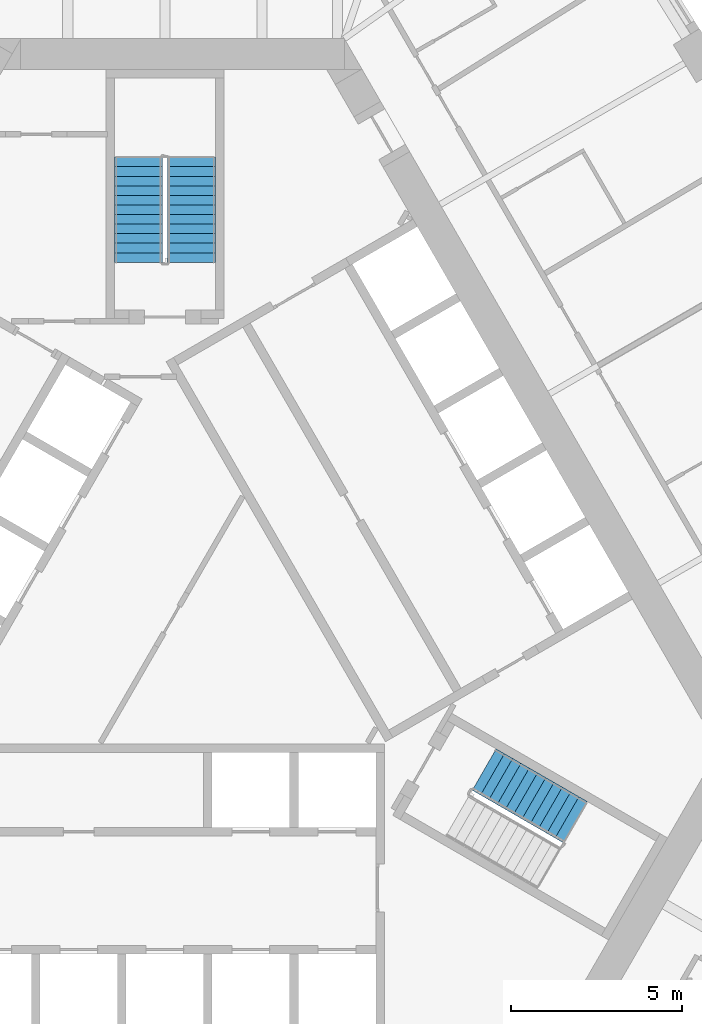
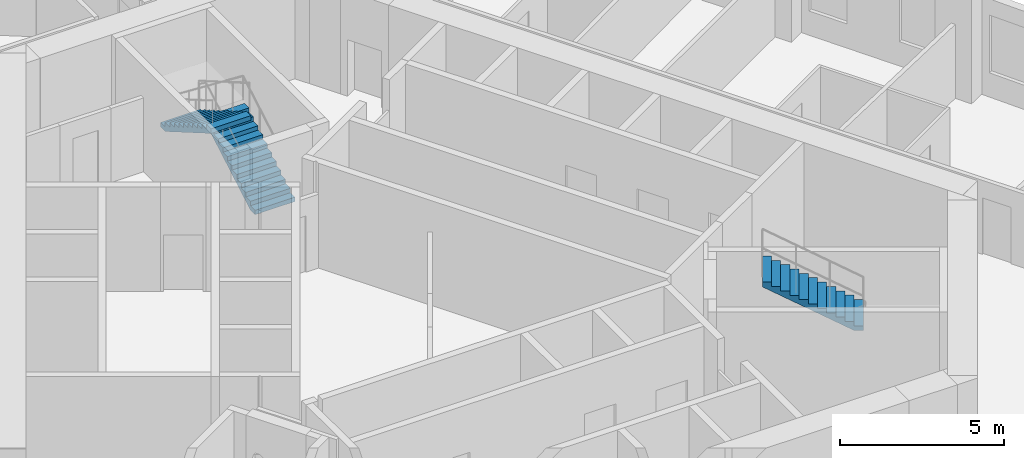
# One storey, part 12 of 13: 3 stair flights, 2 elements without a shape of their own.
"""IFC4 building model written with IfcOpenShell, lengths in metres."""

from ifc_helpers import new_model, si_unit, direction, frame, origin, place, context, subcontext, project, spatial, polyline, outline, extrude, material, type_object, element, aggregate, save


model = new_model("IFC4")

# Units and contexts
model_context = context("Model", 3, precision=1e-05, world=origin(), true_north=direction((0.0, 1.0)))
body_context = subcontext(model_context, "Body", "Model", "MODEL_VIEW")
ifc_project = project(units=[si_unit("LENGTHUNIT", "METRE"), si_unit("AREAUNIT", "SQUARE_METRE"), si_unit("VOLUMEUNIT", "CUBIC_METRE"), si_unit("PLANEANGLEUNIT", "RADIAN"), si_unit("MASSUNIT", "GRAM", prefix="KILO")], contexts=[model_context])

# Site, building, storey
site_placement = place(None, origin())
site = spatial("IfcSite", under=ifc_project, at=site_placement, CompositionType="ELEMENT")
building_placement = place(site_placement, origin())
building = spatial("IfcBuilding", under=site, at=building_placement, Name="Mestral Congress Tower", CompositionType="ELEMENT")
storey_placement = place(building_placement, frame((0.0, 0.0, 87.60009765625)))
storey = spatial("IfcBuildingStorey", under=building, at=storey_placement, Name="L20", CompositionType="ELEMENT", Elevation=87.60009765625)

# Stair, stair flight
ifc_material = material(Name="Concrete C60/75", Category="concrete")
stair_type = type_object("IfcStairType", Name="Exit stair 1400", PredefinedType="HALF_TURN_STAIR", material=ifc_material)
placement = place(storey_placement, origin())
stair_1 = element("IfcStair", 1, at=placement, inside=storey, type_object=stair_type, Name="L20 ST1", PredefinedType="HALF_TURN_STAIR")
stair_flight_type = type_object("IfcStairFlightType", Name="Exit stair flight 1400", PredefinedType="STRAIGHT", material=ifc_material)
stair_flight_1_placement = place(storey_placement, frame((12.018310546875, -6.0439453125, 1.949951171875), z_axis=(0.0, 0.0, 1.0), x_axis=(-0.866025403784, 0.5, 0.0)))
stair_flight_1 = element("IfcStairFlight", 2, at=stair_flight_1_placement, type_object=stair_flight_type, Name="ST1 flight 2", NumberOfRisers=12, NumberOfTreads=11, PredefinedType="STRAIGHT", RiserHeight=0.1625, TreadLength=0.28, context=body_context, shape_type="SweptSolid", body=[
    extrude(outline(polyline([(0.0, 0.0), (0.0, 0.16259765625), (0.280029296875, 0.16259765625), (0.280029296875, 0.324951171875), (0.56005859375, 0.324951171875), (0.56005859375, 0.487548828125), (0.840087890625, 0.487548828125), (0.840087890625, 0.64990234375), (1.1201171875, 0.64990234375), (1.1201171875, 0.8125), (1.39990234375, 0.8125), (1.39990234375, 0.97509765625), (1.679931640625, 0.97509765625), (1.679931640625, 1.137451171875), (1.9599609375, 1.137451171875), (1.9599609375, 1.300048828125), (2.239990234375, 1.300048828125), (2.239990234375, 1.46240234375), (2.52001953125, 1.46240234375), (2.52001953125, 1.625), (2.800048828125, 1.625), (2.800048828125, 1.78759765625), (3.080078125, 1.78759765625), (3.080078125, 1.949951171875), (3.080078125, 1.6142578125), (0.298583984375, 0.0), (0.0, 0.0)])), frame((0.0, 0.699951171875, 0.0), z_axis=(0.0, -1.0, 0.0), x_axis=(1.0, 0.0, 0.0)), (0.0, 0.0, 1.0), 1.39990234375),
])
aggregate(stair_1, [stair_flight_1])

# Stair, stair flights
stair_2 = element("IfcStair", 3, at=placement, inside=storey, type_object=stair_type, Name="L20 ST2", PredefinedType="HALF_TURN_STAIR")
stair_flight_2_placement = place(storey_placement, frame((0.77490234375, 10.35009765625, 0.0), z_axis=(0.0, 0.0, 1.0), x_axis=(0.0, 1.0, 0.0)))
stair_flight_2 = element("IfcStairFlight", 4, at=stair_flight_2_placement, type_object=stair_flight_type, Name="ST2 flight 1", NumberOfRisers=12, NumberOfTreads=11, PredefinedType="STRAIGHT", RiserHeight=0.1625, TreadLength=0.28, context=body_context, shape_type="SweptSolid", body=[
    extrude(outline(polyline([(0.0, 0.0), (0.0, 0.16259765625), (0.280029296875, 0.16259765625), (0.280029296875, 0.324951171875), (0.56005859375, 0.324951171875), (0.56005859375, 0.487548828125), (0.840087890625, 0.487548828125), (0.840087890625, 0.64990234375), (1.1201171875, 0.64990234375), (1.1201171875, 0.8125), (1.39990234375, 0.8125), (1.39990234375, 0.97509765625), (1.679931640625, 0.97509765625), (1.679931640625, 1.137451171875), (1.9599609375, 1.137451171875), (1.9599609375, 1.300048828125), (2.239990234375, 1.300048828125), (2.239990234375, 1.46240234375), (2.52001953125, 1.46240234375), (2.52001953125, 1.625), (2.800048828125, 1.625), (2.800048828125, 1.78759765625), (3.080078125, 1.78759765625), (3.080078125, 1.949951171875), (3.080078125, 1.6142578125), (0.298583984375, 0.0), (0.0, 0.0)])), frame((0.0, 0.699951171875, 0.0), z_axis=(0.0, -1.0, 0.0), x_axis=(1.0, 0.0, 0.0)), (0.0, 0.0, 1.0), 1.39990234375),
])
stair_flight_3_placement = place(storey_placement, frame((-0.77490234375, 13.429931640625, 1.949951171875), z_axis=(0.0, 0.0, 1.0), x_axis=(0.0, -1.0, 0.0)))
stair_flight_3 = element("IfcStairFlight", 5, at=stair_flight_3_placement, type_object=stair_flight_type, Name="ST2 flight 2", NumberOfRisers=12, NumberOfTreads=11, PredefinedType="STRAIGHT", RiserHeight=0.1625, TreadLength=0.28, context=body_context, shape_type="SweptSolid", body=[
    extrude(outline(polyline([(0.0, 0.0), (0.0, 0.16259765625), (0.280029296875, 0.16259765625), (0.280029296875, 0.324951171875), (0.56005859375, 0.324951171875), (0.56005859375, 0.487548828125), (0.840087890625, 0.487548828125), (0.840087890625, 0.64990234375), (1.1201171875, 0.64990234375), (1.1201171875, 0.8125), (1.39990234375, 0.8125), (1.39990234375, 0.97509765625), (1.679931640625, 0.97509765625), (1.679931640625, 1.137451171875), (1.9599609375, 1.137451171875), (1.9599609375, 1.300048828125), (2.239990234375, 1.300048828125), (2.239990234375, 1.46240234375), (2.52001953125, 1.46240234375), (2.52001953125, 1.625), (2.800048828125, 1.625), (2.800048828125, 1.78759765625), (3.080078125, 1.78759765625), (3.080078125, 1.949951171875), (3.080078125, 1.6142578125), (0.298583984375, 0.0), (0.0, 0.0)])), frame((0.0, 0.699951171875, 0.0), z_axis=(0.0, -1.0, 0.0), x_axis=(1.0, 0.0, 0.0)), (0.0, 0.0, 1.0), 1.39990234375),
])
aggregate(stair_2, [stair_flight_2, stair_flight_3])

save(model, "model.ifc")
